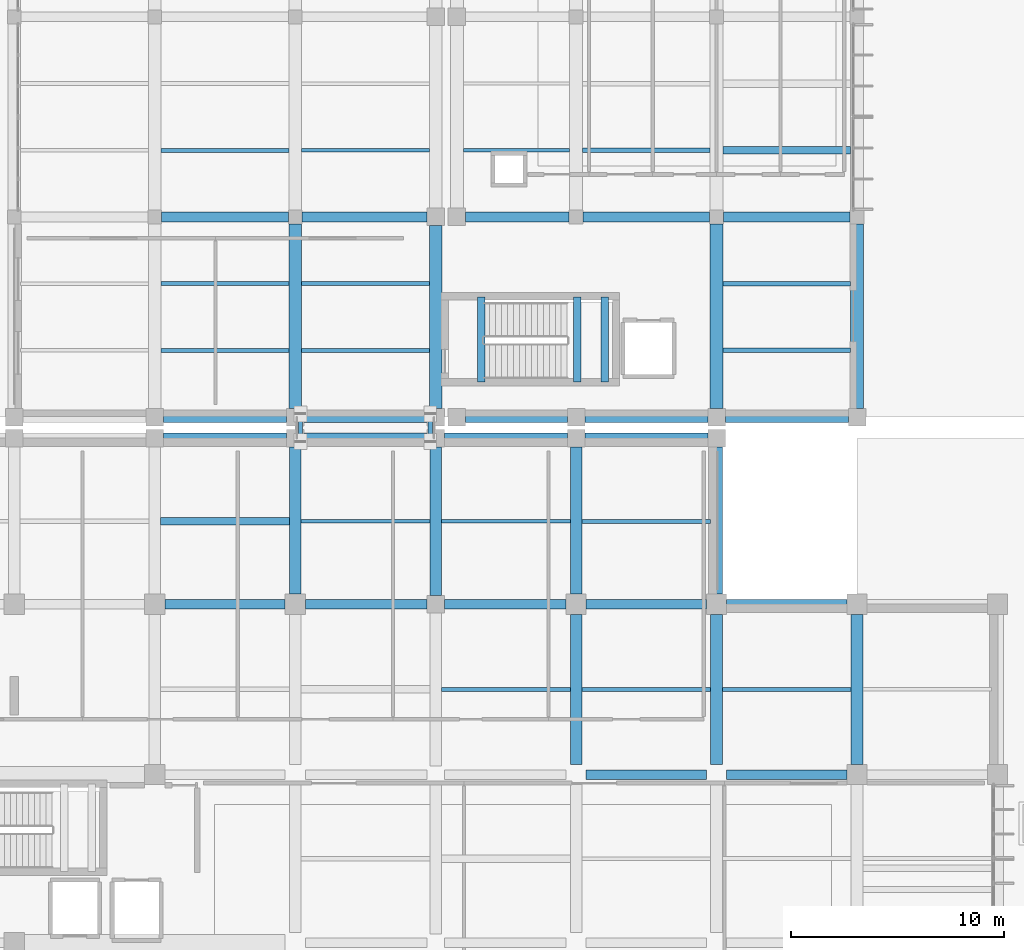
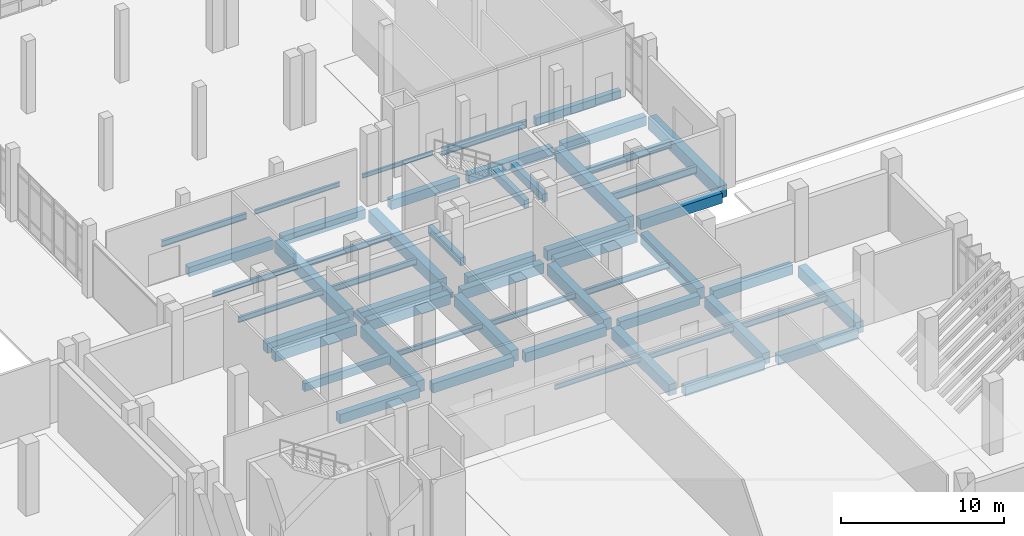
# One storey, part 28 of 79: 55 beams.
"""IFC4 building model written with IfcOpenShell, lengths in metres."""

from ifc_helpers import new_model, si_unit, direction, frame, origin, origin_2d, place, context, subcontext, project, spatial, rectangle, hollow_rectangle, i_section, extrude, material, material_profile, profile_set, type_object, element, save


model = new_model("IFC4")

# Units and contexts
model_context = context("Model", 3, precision=1e-05, world=origin(), true_north=direction((0.0, 1.0)))
body_context = subcontext(model_context, "Body", "Model", "MODEL_VIEW")
ifc_project = project(units=[si_unit("LENGTHUNIT", "METRE"), si_unit("AREAUNIT", "SQUARE_METRE"), si_unit("VOLUMEUNIT", "CUBIC_METRE"), si_unit("PLANEANGLEUNIT", "RADIAN"), si_unit("MASSUNIT", "GRAM", prefix="KILO")], contexts=[model_context])

# Site, building, storey
site_placement = place(None, origin())
site = spatial("IfcSite", under=ifc_project, at=site_placement, CompositionType="ELEMENT")
building_placement = place(site_placement, origin())
building = spatial("IfcBuilding", under=site, at=building_placement, Name="Kelarvand Opera House", CompositionType="ELEMENT")
storey_placement = place(building_placement, origin())
storey = spatial("IfcBuildingStorey", under=building, at=storey_placement, Name="L00", CompositionType="ELEMENT", Elevation=0.0)

# Beams
ifc_material_1 = material(Name="Concrete C35/45", Category="concrete")
ifc_material_profile_1 = material_profile(ifc_material_1, rectangle(XDim=0.35009765625, YDim=0.60009765625, at=origin_2d()), Name="RC 350x600", Category="concrete")
ifc_profile_set_1 = profile_set([ifc_material_profile_1], Name="Concrete C35/45")
beam_type_1 = type_object("IfcBeamType", Name="Structural Beam RC 350x600 BM-RC350x600", PredefinedType="BEAM", material=ifc_profile_set_1)
beam_1_placement = place(storey_placement, frame((102.47509765625, 82.300048828125, -0.6201171875), z_axis=(1.0, 0.0, 0.0), x_axis=(0.0, 1.0, 0.0)))
element("IfcBeam", 1, at=beam_1_placement, inside=storey, type_object=beam_type_1, Name="V1 L00 Beam BM-RC350x600", PredefinedType="BEAM", context=body_context, shape_type="SweptSolid", body=[
    extrude(rectangle(XDim=0.35009765625, YDim=0.60009765625, at=origin_2d()), origin(), (0.0, 0.0, 1.0), 6.0498046875),
])
beam_2_placement = place(storey_placement, frame((128.89990234375, 99.7333984375, -0.60009765625), z_axis=(1.0, 0.0, 0.0), x_axis=(0.0, 1.0, 0.0)))
element("IfcBeam", 2, at=beam_2_placement, inside=storey, type_object=beam_type_1, Name="V5 L00 Beam BM-RC350x600", PredefinedType="BEAM", context=body_context, shape_type="SweptSolid", body=[
    extrude(rectangle(XDim=0.35009765625, YDim=0.60009765625, at=origin_2d()), origin(), (0.0, 0.0, 1.0), 6.0),
])
for number, where, z_axis, x_axis, name in (
    (3, (117.5400390625, 88.85009765625, -0.52001953125), (0.0, 1.0, 0.0), (-1.0, 0.0, 0.0), "C7 Stair Landing Support Beam L00"),
    (4, (122.050048828125, 88.85009765625, 2.199951171875), (0.0, 1.0, 0.0), (-1.0, 0.0, 0.0), "C7 Stair Half-Landing Beam 1 L00"),
    (5, (123.35009765625, 88.85009765625, 2.199951171875), (0.0, 1.0, 0.0), (-1.0, 0.0, 0.0), "C7 Stair Half-Landing Beam 2 L00"),
):
    element("IfcBeam", number, at=place(storey_placement, frame(where, z_axis=z_axis, x_axis=x_axis)), inside=storey, type_object=beam_type_1, Name=name, PredefinedType="BEAM", context=body_context, shape_type="SweptSolid", body=[
        extrude(rectangle(XDim=0.35009765625, YDim=0.60009765625, at=origin_2d()), origin(), (0.0, 0.0, 1.0), 4.0),
    ])
ifc_material_2 = material(Name="Concrete C40/50", Category="concrete")
ifc_material_profile_2 = material_profile(ifc_material_2, rectangle(XDim=0.449951171875, YDim=0.699951171875, at=origin_2d()), Name="RC 450x700", Category="concrete")
ifc_profile_set_2 = profile_set([ifc_material_profile_2], Name="Concrete C40/50")
beam_type_2 = type_object("IfcBeamType", Name="Structural Beam RC 450x700 BM-RC450x700", PredefinedType="BEAM", material=ifc_profile_set_2)
beam_3_placement = place(storey_placement, frame((122.47509765625, 70.39990234375, -0.669921875), z_axis=(1.0, 0.0, 0.0), x_axis=(0.0, 1.0, 0.0)))
element("IfcBeam", 6, at=beam_3_placement, inside=storey, type_object=beam_type_2, Name="V1 L00 Beam BM-RC450x700", PredefinedType="BEAM", context=body_context, shape_type="SweptSolid", body=[
    extrude(rectangle(XDim=0.449951171875, YDim=0.699951171875, at=origin_2d()), origin(), (0.0, 0.0, 1.0), 5.64990234375),
])
beam_4_placement = place(storey_placement, frame((129.074951171875, 70.39990234375, -0.669921875), z_axis=(1.0, 0.0, 0.0), x_axis=(0.0, 1.0, 0.0)))
element("IfcBeam", 7, at=beam_4_placement, inside=storey, type_object=beam_type_2, Name="V1 L00 Beam BM-RC450x700", PredefinedType="BEAM", context=body_context, shape_type="SweptSolid", body=[
    extrude(rectangle(XDim=0.449951171875, YDim=0.699951171875, at=origin_2d()), origin(), (0.0, 0.0, 1.0), 5.650146484375),
])
beam_5_placement = place(storey_placement, frame((102.675048828125, 78.39990234375, -0.669921875), z_axis=(1.0, 0.0, 0.0), x_axis=(0.0, 1.0, 0.0)))
element("IfcBeam", 8, at=beam_5_placement, inside=storey, type_object=beam_type_2, Name="V1 L00 Beam BM-RC450x700", PredefinedType="BEAM", context=body_context, shape_type="SweptSolid", body=[
    extrude(rectangle(XDim=0.449951171875, YDim=0.699951171875, at=origin_2d()), origin(), (0.0, 0.0, 1.0), 5.64990234375),
])
beam_6_placement = place(storey_placement, frame((109.27490234375, 78.39990234375, -0.669921875), z_axis=(1.0, 0.0, 0.0), x_axis=(0.0, 1.0, 0.0)))
element("IfcBeam", 9, at=beam_6_placement, inside=storey, type_object=beam_type_2, Name="V1 L00 Beam BM-RC450x700", PredefinedType="BEAM", context=body_context, shape_type="SweptSolid", body=[
    extrude(rectangle(XDim=0.449951171875, YDim=0.699951171875, at=origin_2d()), origin(), (0.0, 0.0, 1.0), 5.715087890625),
])
beam_7_placement = place(storey_placement, frame((115.81005859375, 78.39990234375, -0.669921875), z_axis=(1.0, 0.0, 0.0), x_axis=(0.0, 1.0, 0.0)))
element("IfcBeam", 10, at=beam_7_placement, inside=storey, type_object=beam_type_2, Name="V1 L00 Beam BM-RC450x700", PredefinedType="BEAM", context=body_context, shape_type="SweptSolid", body=[
    extrude(rectangle(XDim=0.449951171875, YDim=0.699951171875, at=origin_2d()), origin(), (0.0, 0.0, 1.0), 5.71484375),
])
beam_8_placement = place(storey_placement, frame((122.47509765625, 78.39990234375, -0.669921875), z_axis=(1.0, 0.0, 0.0), x_axis=(0.0, 1.0, 0.0)))
element("IfcBeam", 11, at=beam_8_placement, inside=storey, type_object=beam_type_2, Name="V1 L00 Beam BM-RC450x700", PredefinedType="BEAM", context=body_context, shape_type="SweptSolid", body=[
    extrude(rectangle(XDim=0.449951171875, YDim=0.699951171875, at=origin_2d()), origin(), (0.0, 0.0, 1.0), 5.64990234375),
])
beam_9_placement = place(storey_placement, frame((129.074951171875, 78.39990234375, -0.669921875), z_axis=(1.0, 0.0, 0.0), x_axis=(0.0, 1.0, 0.0)))
element("IfcBeam", 12, at=beam_9_placement, inside=storey, type_object=beam_type_2, Name="V1 L00 Beam BM-RC450x700", PredefinedType="BEAM", context=body_context, shape_type="SweptSolid", body=[
    extrude(rectangle(XDim=0.449951171875, YDim=0.699951171875, at=origin_2d()), origin(), (0.0, 0.0, 1.0), 5.650146484375),
])
beam_10_placement = place(storey_placement, frame((102.52490234375, 96.60009765625, -0.64990234375), z_axis=(1.0, 0.0, 0.0), x_axis=(0.0, 1.0, 0.0)))
element("IfcBeam", 13, at=beam_10_placement, inside=storey, type_object=beam_type_2, Name="V5 L00 Beam BM-RC450x700", PredefinedType="BEAM", context=body_context, shape_type="SweptSolid", body=[
    extrude(rectangle(XDim=0.449951171875, YDim=0.699951171875, at=origin_2d()), origin(), (0.0, 0.0, 1.0), 5.9501953125),
])
beam_11_placement = place(storey_placement, frame((109.125, 96.60009765625, -0.64990234375), z_axis=(1.0, 0.0, 0.0), x_axis=(0.0, 1.0, 0.0)))
element("IfcBeam", 14, at=beam_11_placement, inside=storey, type_object=beam_type_2, Name="V5 L00 Beam BM-RC450x700", PredefinedType="BEAM", context=body_context, shape_type="SweptSolid", body=[
    extrude(rectangle(XDim=0.449951171875, YDim=0.699951171875, at=origin_2d()), origin(), (0.0, 0.0, 1.0), 5.864990234375),
])
beam_12_placement = place(storey_placement, frame((116.81005859375, 96.60009765625, -0.64990234375), z_axis=(1.0, 0.0, 0.0), x_axis=(0.0, 1.0, 0.0)))
element("IfcBeam", 15, at=beam_12_placement, inside=storey, type_object=beam_type_2, Name="V5 L00 Beam BM-RC450x700", PredefinedType="BEAM", context=body_context, shape_type="SweptSolid", body=[
    extrude(rectangle(XDim=0.449951171875, YDim=0.699951171875, at=origin_2d()), origin(), (0.0, 0.0, 1.0), 4.864990234375),
])
for number, where, z_axis, x_axis, name in (
    (16, (122.324951171875, 96.60009765625, -0.64990234375), (1.0, 0.0, 0.0), (0.0, 1.0, 0.0), "V5 L00 Beam BM-RC450x700"),
    (17, (128.925048828125, 96.60009765625, -0.64990234375), (1.0, 0.0, 0.0), (0.0, 1.0, 0.0), "V5 L00 Beam BM-RC450x700"),
):
    element("IfcBeam", number, at=place(storey_placement, frame(where, z_axis=z_axis, x_axis=x_axis)), inside=storey, type_object=beam_type_2, Name=name, PredefinedType="BEAM", context=body_context, shape_type="SweptSolid", body=[
        extrude(rectangle(XDim=0.449951171875, YDim=0.699951171875, at=origin_2d()), origin(), (0.0, 0.0, 1.0), 5.949951171875),
    ])
ifc_material_profile_3 = material_profile(ifc_material_2, rectangle(XDim=0.550048828125, YDim=0.85009765625, at=origin_2d()), Name="RC 550x850", Category="concrete")
ifc_profile_set_3 = profile_set([ifc_material_profile_3], Name="Concrete C40/50")
beam_type_3 = type_object("IfcBeamType", Name="Structural Beam RC 550x850 BM-RC550x850", PredefinedType="BEAM", material=ifc_profile_set_3)
beam_13_placement = place(storey_placement, frame((108.800048828125, 78.875, -0.7451171875), z_axis=(0.0, 1.0, 0.0), x_axis=(-1.0, 0.0, 0.0)))
element("IfcBeam", 18, at=beam_13_placement, inside=storey, type_object=beam_type_3, Name="V1 L00 Beam BM-RC550x850", PredefinedType="BEAM", context=body_context, shape_type="SweptSolid", body=[
    extrude(rectangle(XDim=0.550048828125, YDim=0.85009765625, at=origin_2d()), origin(), (0.0, 0.0, 1.0), 6.9150390625),
])
beam_14_placement = place(storey_placement, frame((115.39990234375, 78.81005859375, -0.7451171875), z_axis=(0.0, 1.0, 0.0), x_axis=(-1.0, 0.0, 0.0)))
element("IfcBeam", 19, at=beam_14_placement, inside=storey, type_object=beam_type_3, Name="V1 L00 Beam BM-RC550x850", PredefinedType="BEAM", context=body_context, shape_type="SweptSolid", body=[
    extrude(rectangle(XDim=0.550048828125, YDim=0.85009765625, at=origin_2d()), origin(), (0.0, 0.0, 1.0), 6.97998046875),
])
beam_15_placement = place(storey_placement, frame((122.0, 70.875, -0.7451171875), z_axis=(0.0, 1.0, 0.0), x_axis=(-1.0, 0.0, 0.0)))
element("IfcBeam", 20, at=beam_15_placement, inside=storey, type_object=beam_type_3, Name="V1 L00 Beam BM-RC550x850", PredefinedType="BEAM", context=body_context, shape_type="SweptSolid", body=[
    extrude(rectangle(XDim=0.550048828125, YDim=0.85009765625, at=origin_2d()), origin(), (0.0, 0.0, 1.0), 7.050048828125),
])
beam_16_placement = place(storey_placement, frame((122.0, 78.875, -0.7451171875), z_axis=(0.0, 1.0, 0.0), x_axis=(-1.0, 0.0, 0.0)))
element("IfcBeam", 21, at=beam_16_placement, inside=storey, type_object=beam_type_3, Name="V1 L00 Beam BM-RC550x850", PredefinedType="BEAM", context=body_context, shape_type="SweptSolid", body=[
    extrude(rectangle(XDim=0.550048828125, YDim=0.85009765625, at=origin_2d()), origin(), (0.0, 0.0, 1.0), 6.9150390625),
])
beam_17_placement = place(storey_placement, frame((128.60009765625, 70.875, -0.7451171875), z_axis=(0.0, 1.0, 0.0), x_axis=(-1.0, 0.0, 0.0)))
element("IfcBeam", 22, at=beam_17_placement, inside=storey, type_object=beam_type_3, Name="V1 L00 Beam BM-RC550x850", PredefinedType="BEAM", context=body_context, shape_type="SweptSolid", body=[
    extrude(rectangle(XDim=0.550048828125, YDim=0.85009765625, at=origin_2d()), origin(), (0.0, 0.0, 1.0), 7.050048828125),
])
beam_18_placement = place(storey_placement, frame((128.60009765625, 78.875, -0.7451171875), z_axis=(0.0, 1.0, 0.0), x_axis=(-1.0, 0.0, 0.0)))
element("IfcBeam", 23, at=beam_18_placement, inside=storey, type_object=beam_type_3, Name="V1 L00 Beam BM-RC550x850", PredefinedType="BEAM", context=body_context, shape_type="SweptSolid", body=[
    extrude(rectangle(XDim=0.550048828125, YDim=0.85009765625, at=origin_2d()), origin(), (0.0, 0.0, 1.0), 6.9150390625),
])
beam_19_placement = place(storey_placement, frame((135.199951171875, 70.875, -0.7451171875), z_axis=(0.0, 1.0, 0.0), x_axis=(-1.0, 0.0, 0.0)))
element("IfcBeam", 24, at=beam_19_placement, inside=storey, type_object=beam_type_3, Name="V1 L00 Beam BM-RC550x850", PredefinedType="BEAM", context=body_context, shape_type="SweptSolid", body=[
    extrude(rectangle(XDim=0.550048828125, YDim=0.85009765625, at=origin_2d()), origin(), (0.0, 0.0, 1.0), 7.050048828125),
])
ifc_material_profile_4 = material_profile(ifc_material_2, rectangle(XDim=0.60009765625, YDim=0.89990234375, at=origin_2d()), Name="RC 600x900", Category="concrete")
ifc_profile_set_4 = profile_set([ifc_material_profile_4], Name="Concrete C40/50")
beam_type_4 = type_object("IfcBeamType", Name="Structural Beam RC 600x900 BM-RC600x900", PredefinedType="BEAM", material=ifc_profile_set_4)
beam_20_placement = place(storey_placement, frame((108.800048828125, 87.610107421875, -0.75), z_axis=(0.0, 1.0, 0.0), x_axis=(-1.0, 0.0, 0.0)))
element("IfcBeam", 25, at=beam_20_placement, inside=storey, type_object=beam_type_4, Name="V5 L00 Beam BM-RC600x900", PredefinedType="BEAM", context=body_context, shape_type="SweptSolid", body=[
    extrude(rectangle(XDim=0.60009765625, YDim=0.89990234375, at=origin_2d()), origin(), (0.0, 0.0, 1.0), 8.664794921875),
])
beam_21_placement = place(storey_placement, frame((115.39990234375, 87.610107421875, -0.75), z_axis=(0.0, 1.0, 0.0), x_axis=(-1.0, 0.0, 0.0)))
element("IfcBeam", 26, at=beam_21_placement, inside=storey, type_object=beam_type_4, Name="V5 L00 Beam BM-RC600x900", PredefinedType="BEAM", context=body_context, shape_type="SweptSolid", body=[
    extrude(rectangle(XDim=0.60009765625, YDim=0.89990234375, at=origin_2d()), origin(), (0.0, 0.0, 1.0), 8.579833984375),
])
beam_22_placement = place(storey_placement, frame((128.60009765625, 87.610107421875, -0.75), z_axis=(0.0, 1.0, 0.0), x_axis=(-1.0, 0.0, 0.0)))
element("IfcBeam", 27, at=beam_22_placement, inside=storey, type_object=beam_type_4, Name="V5 L00 Beam BM-RC600x900", PredefinedType="BEAM", context=body_context, shape_type="SweptSolid", body=[
    extrude(rectangle(XDim=0.60009765625, YDim=0.89990234375, at=origin_2d()), origin(), (0.0, 0.0, 1.0), 8.664794921875),
])
ifc_material_3 = material(Name="Steel S355", Category="steel")
ifc_material_profile_5 = material_profile(ifc_material_3, hollow_rectangle(XDim=0.199951171875, YDim=0.39990234375, WallThickness=0.01611328125, at=origin_2d()), Name="RHS 400x200x16.0", Category="steel")
ifc_profile_set_5 = profile_set([ifc_material_profile_5], Name="Steel S355")
beam_type_5 = type_object("IfcBeamType", Name="Structural Beam RHS 400x200x16.0 BM-RHS400", PredefinedType="BEAM", material=ifc_profile_set_5)
for number, where, z_axis, x_axis, name in (
    (28, (109.050048828125, 86.050048828125, -0.52001953125), (0.0, 1.0, 0.0), (-1.0, 0.0, 0.0), "Seismic Sliding Corbel Beam BR-JN-E L00 1"),
    (29, (115.14990234375, 86.050048828125, -0.52001953125), (0.0, 1.0, 0.0), (-1.0, 0.0, 0.0), "Seismic Sliding Corbel Beam BR-JN-E L00 2"),
):
    element("IfcBeam", number, at=place(storey_placement, frame(where, z_axis=z_axis, x_axis=x_axis)), inside=storey, type_object=beam_type_5, Name=name, PredefinedType="BEAM", context=body_context, shape_type="SweptSolid", body=[
        extrude(hollow_rectangle(XDim=0.199951171875, YDim=0.39990234375, WallThickness=0.01611328125, at=origin_2d()), origin(), (0.0, 0.0, 1.0), 1.300048828125),
    ])
ifc_material_profile_6 = material_profile(ifc_material_3, i_section(OverallWidth=0.14990234375, OverallDepth=0.300048828125, WebThickness=0.007080078125, FlangeThickness=0.0107421875, at=origin_2d()), Name="IPE 300", Category="steel")
ifc_profile_set_6 = profile_set([ifc_material_profile_6], Name="Steel S355")
beam_type_6 = type_object("IfcBeamType", Name="Structural Joist IPE 300 JS-IPE300", PredefinedType="JOIST", material=ifc_profile_set_6)
beam_23_placement = place(storey_placement, frame((116.699951171875, 99.7333984375, -0.449951171875), z_axis=(1.0, 0.0, 0.0), x_axis=(0.0, 1.0, 0.0)))
element("IfcBeam", 30, at=beam_23_placement, inside=storey, type_object=beam_type_6, Name="V5 L00 Beam JS-IPE300", PredefinedType="JOIST", context=body_context, shape_type="SweptSolid", body=[
    extrude(i_section(OverallWidth=0.14990234375, OverallDepth=0.300048828125, WebThickness=0.007080078125, FlangeThickness=0.0107421875, at=origin_2d()), origin(), (0.0, 0.0, 1.0), 5.0),
])
ifc_material_profile_7 = material_profile(ifc_material_3, i_section(OverallWidth=0.159912109375, OverallDepth=0.330078125, WebThickness=0.007568359375, FlangeThickness=0.011474609375, at=origin_2d()), Name="IPE 330", Category="steel")
ifc_profile_set_7 = profile_set([ifc_material_profile_7], Name="Steel S355")
beam_type_7 = type_object("IfcBeamType", Name="Structural Joist IPE 330 JS-IPE330", PredefinedType="JOIST", material=ifc_profile_set_7)
beam_24_placement = place(storey_placement, frame((109.10009765625, 99.7333984375, -0.465087890625), z_axis=(1.0, 0.0, 0.0), x_axis=(0.0, 1.0, 0.0)))
element("IfcBeam", 31, at=beam_24_placement, inside=storey, type_object=beam_type_7, Name="V5 L00 Beam JS-IPE330", PredefinedType="JOIST", context=body_context, shape_type="SweptSolid", body=[
    extrude(i_section(OverallWidth=0.159912109375, OverallDepth=0.330078125, WebThickness=0.007568359375, FlangeThickness=0.011474609375, at=origin_2d()), origin(), (0.0, 0.0, 1.0), 6.0),
])
ifc_material_profile_8 = material_profile(ifc_material_3, i_section(OverallWidth=0.169921875, OverallDepth=0.360107421875, WebThickness=0.008056640625, FlangeThickness=0.0126953125, at=origin_2d()), Name="IPE 360", Category="steel")
ifc_profile_set_8 = profile_set([ifc_material_profile_8], Name="Steel S355")
beam_type_8 = type_object("IfcBeamType", Name="Structural Joist IPE 360 JS-IPE360", PredefinedType="JOIST", material=ifc_profile_set_8)
for number, where, z_axis, x_axis, name in (
    (32, (109.074951171875, 82.300048828125, -0.5), (1.0, 0.0, 0.0), (0.0, 1.0, 0.0), "V1 L00 Beam JS-IPE360"),
    (33, (115.675048828125, 74.39990234375, -0.5), (1.0, 0.0, 0.0), (0.0, 1.0, 0.0), "V1 L00 Beam JS-IPE360"),
):
    element("IfcBeam", number, at=place(storey_placement, frame(where, z_axis=z_axis, x_axis=x_axis)), inside=storey, type_object=beam_type_8, Name=name, PredefinedType="JOIST", context=body_context, shape_type="SweptSolid", body=[
        extrude(i_section(OverallWidth=0.169921875, OverallDepth=0.360107421875, WebThickness=0.008056640625, FlangeThickness=0.0126953125, at=origin_2d()), origin(), (0.0, 0.0, 1.0), 6.050048828125),
    ])
ifc_material_profile_9 = material_profile(ifc_material_3, i_section(OverallWidth=0.179931640625, OverallDepth=0.39990234375, WebThickness=0.008544921875, FlangeThickness=0.013427734375, at=origin_2d()), Name="IPE 400", Category="steel")
ifc_profile_set_9 = profile_set([ifc_material_profile_9], Name="Steel S355")
beam_type_9 = type_object("IfcBeamType", Name="Structural Joist IPE 400 JS-IPE400", PredefinedType="JOIST", material=ifc_profile_set_9)
for number, where, z_axis, x_axis, name in (
    (34, (115.675048828125, 82.300048828125, -0.52001953125), (1.0, 0.0, 0.0), (0.0, 1.0, 0.0), "V1 L00 Beam JS-IPE400"),
    (35, (122.27490234375, 74.39990234375, -0.52001953125), (1.0, 0.0, 0.0), (0.0, 1.0, 0.0), "V1 L00 Beam JS-IPE400"),
):
    element("IfcBeam", number, at=place(storey_placement, frame(where, z_axis=z_axis, x_axis=x_axis)), inside=storey, type_object=beam_type_9, Name=name, PredefinedType="JOIST", context=body_context, shape_type="SweptSolid", body=[
        extrude(i_section(OverallWidth=0.179931640625, OverallDepth=0.39990234375, WebThickness=0.008544921875, FlangeThickness=0.013427734375, at=origin_2d()), origin(), (0.0, 0.0, 1.0), 6.050048828125),
    ])
for number, where, z_axis, x_axis, name in (
    (36, (102.5, 90.333251953125, -0.5), (1.0, 0.0, 0.0), (0.0, 1.0, 0.0), "V5 L00 Beam JS-IPE400"),
    (37, (102.5, 93.466796875, -0.5), (1.0, 0.0, 0.0), (0.0, 1.0, 0.0), "V5 L00 Beam JS-IPE400"),
):
    element("IfcBeam", number, at=place(storey_placement, frame(where, z_axis=z_axis, x_axis=x_axis)), inside=storey, type_object=beam_type_9, Name=name, PredefinedType="JOIST", context=body_context, shape_type="SweptSolid", body=[
        extrude(i_section(OverallWidth=0.179931640625, OverallDepth=0.39990234375, WebThickness=0.008544921875, FlangeThickness=0.013427734375, at=origin_2d()), origin(), (0.0, 0.0, 1.0), 6.0),
    ])
ifc_material_profile_10 = material_profile(ifc_material_3, i_section(OverallWidth=0.18994140625, OverallDepth=0.449951171875, WebThickness=0.009521484375, FlangeThickness=0.0146484375, at=origin_2d()), Name="IPE 450", Category="steel")
ifc_profile_set_10 = profile_set([ifc_material_profile_10], Name="Steel S355")
beam_type_10 = type_object("IfcBeamType", Name="Structural Joist IPE 450 JS-IPE450", PredefinedType="JOIST", material=ifc_profile_set_10)
for number, where, z_axis, x_axis, name in (
    (38, (122.27490234375, 82.300048828125, -0.544921875), (1.0, 0.0, 0.0), (0.0, 1.0, 0.0), "V1 L00 Beam JS-IPE450"),
    (39, (128.875, 74.39990234375, -0.544921875), (1.0, 0.0, 0.0), (0.0, 1.0, 0.0), "V1 L00 Beam JS-IPE450"),
):
    element("IfcBeam", number, at=place(storey_placement, frame(where, z_axis=z_axis, x_axis=x_axis)), inside=storey, type_object=beam_type_10, Name=name, PredefinedType="JOIST", context=body_context, shape_type="SweptSolid", body=[
        extrude(i_section(OverallWidth=0.18994140625, OverallDepth=0.449951171875, WebThickness=0.009521484375, FlangeThickness=0.0146484375, at=origin_2d()), origin(), (0.0, 0.0, 1.0), 6.050048828125),
    ])
for number, where, z_axis, x_axis, name in (
    (40, (102.5, 99.7333984375, -0.52490234375), (1.0, 0.0, 0.0), (0.0, 1.0, 0.0), "V5 L00 Beam JS-IPE450"),
    (41, (109.10009765625, 90.333251953125, -0.52490234375), (1.0, 0.0, 0.0), (0.0, 1.0, 0.0), "V5 L00 Beam JS-IPE450"),
    (42, (109.10009765625, 93.466796875, -0.52490234375), (1.0, 0.0, 0.0), (0.0, 1.0, 0.0), "V5 L00 Beam JS-IPE450"),
):
    element("IfcBeam", number, at=place(storey_placement, frame(where, z_axis=z_axis, x_axis=x_axis)), inside=storey, type_object=beam_type_10, Name=name, PredefinedType="JOIST", context=body_context, shape_type="SweptSolid", body=[
        extrude(i_section(OverallWidth=0.18994140625, OverallDepth=0.449951171875, WebThickness=0.009521484375, FlangeThickness=0.0146484375, at=origin_2d()), origin(), (0.0, 0.0, 1.0), 6.0),
    ])
ifc_material_profile_11 = material_profile(ifc_material_3, i_section(OverallWidth=0.2099609375, OverallDepth=0.550048828125, WebThickness=0.010986328125, FlangeThickness=0.01708984375, at=origin_2d()), Name="IPE 550", Category="steel")
ifc_profile_set_11 = profile_set([ifc_material_profile_11], Name="Steel S355")
beam_type_11 = type_object("IfcBeamType", Name="Structural Joist IPE 550 JS-IPE550", PredefinedType="JOIST", material=ifc_profile_set_11)
for number, where, z_axis, x_axis, name in (
    (43, (122.300048828125, 99.7333984375, -0.574951171875), (1.0, 0.0, 0.0), (0.0, 1.0, 0.0), "V5 L00 Beam JS-IPE550"),
    (44, (128.89990234375, 90.333251953125, -0.574951171875), (1.0, 0.0, 0.0), (0.0, 1.0, 0.0), "V5 L00 Beam JS-IPE550"),
    (45, (128.89990234375, 93.466796875, -0.574951171875), (1.0, 0.0, 0.0), (0.0, 1.0, 0.0), "V5 L00 Beam JS-IPE550"),
):
    element("IfcBeam", number, at=place(storey_placement, frame(where, z_axis=z_axis, x_axis=x_axis)), inside=storey, type_object=beam_type_11, Name=name, PredefinedType="JOIST", context=body_context, shape_type="SweptSolid", body=[
        extrude(i_section(OverallWidth=0.2099609375, OverallDepth=0.550048828125, WebThickness=0.010986328125, FlangeThickness=0.01708984375, at=origin_2d()), origin(), (0.0, 0.0, 1.0), 6.0),
    ])
ifc_material_profile_12 = material_profile(ifc_material_2, rectangle(XDim=0.5, YDim=0.75, at=origin_2d()), Name="RC 500x750", Category="concrete")
ifc_profile_set_12 = profile_set([ifc_material_profile_12], Name="Concrete C40/50")
beam_type_12 = type_object("IfcBeamType", Name="Structural Spandrel RC 500x750 SP-RC500x750E", PredefinedType="SPANDREL", material=ifc_profile_set_12)
beam_25_placement = place(storey_placement, frame((102.610107421875, 86.199951171875, -0.695068359375), z_axis=(1.0, 0.0, 0.0), x_axis=(0.0, 1.0, 0.0)))
element("IfcBeam", 46, at=beam_25_placement, inside=storey, type_object=beam_type_12, Name="V1 L00 Beam SP-RC500x750E", PredefinedType="SPANDREL", context=body_context, shape_type="SweptSolid", body=[
    extrude(rectangle(XDim=0.5, YDim=0.75, at=origin_2d()), origin(), (0.0, 0.0, 1.0), 5.77978515625),
])
for number, where, z_axis, x_axis, name in (
    (47, (109.2099609375, 86.199951171875, -0.695068359375), (1.0, 0.0, 0.0), (0.0, 1.0, 0.0), "V1 L00 Beam SP-RC500x750E"),
    (48, (115.81005859375, 86.199951171875, -0.695068359375), (1.0, 0.0, 0.0), (0.0, 1.0, 0.0), "V1 L00 Beam SP-RC500x750E"),
    (49, (122.409912109375, 86.199951171875, -0.695068359375), (1.0, 0.0, 0.0), (0.0, 1.0, 0.0), "V1 L00 Beam SP-RC500x750E"),
):
    element("IfcBeam", number, at=place(storey_placement, frame(where, z_axis=z_axis, x_axis=x_axis)), inside=storey, type_object=beam_type_12, Name=name, PredefinedType="SPANDREL", context=body_context, shape_type="SweptSolid", body=[
        extrude(rectangle(XDim=0.5, YDim=0.75, at=origin_2d()), origin(), (0.0, 0.0, 1.0), 5.780029296875),
    ])
beam_26_placement = place(storey_placement, frame((102.610107421875, 87.199951171875, -0.675048828125), z_axis=(1.0, 0.0, 0.0), x_axis=(0.0, 1.0, 0.0)))
element("IfcBeam", 50, at=beam_26_placement, inside=storey, type_object=beam_type_12, Name="V5 L00 Beam SP-RC500x750E", PredefinedType="SPANDREL", context=body_context, shape_type="SweptSolid", body=[
    extrude(rectangle(XDim=0.5, YDim=0.75, at=origin_2d()), origin(), (0.0, 0.0, 1.0), 5.77978515625),
])
beam_27_placement = place(storey_placement, frame((109.2099609375, 87.199951171875, -0.675048828125), z_axis=(1.0, 0.0, 0.0), x_axis=(0.0, 1.0, 0.0)))
element("IfcBeam", 51, at=beam_27_placement, inside=storey, type_object=beam_type_12, Name="V5 L00 Beam SP-RC500x750E", PredefinedType="SPANDREL", context=body_context, shape_type="SweptSolid", body=[
    extrude(rectangle(XDim=0.5, YDim=0.75, at=origin_2d()), origin(), (0.0, 0.0, 1.0), 5.780029296875),
])
beam_28_placement = place(storey_placement, frame((116.81005859375, 87.199951171875, -0.675048828125), z_axis=(1.0, 0.0, 0.0), x_axis=(0.0, 1.0, 0.0)))
element("IfcBeam", 52, at=beam_28_placement, inside=storey, type_object=beam_type_12, Name="V5 L00 Beam SP-RC500x750E", PredefinedType="SPANDREL", context=body_context, shape_type="SweptSolid", body=[
    extrude(rectangle(XDim=0.5, YDim=0.75, at=origin_2d()), origin(), (0.0, 0.0, 1.0), 4.780029296875),
])
for number, where, z_axis, x_axis, name in (
    (53, (122.409912109375, 87.199951171875, -0.675048828125), (1.0, 0.0, 0.0), (0.0, 1.0, 0.0), "V5 L00 Beam SP-RC500x750E"),
    (54, (129.010009765625, 87.199951171875, -0.675048828125), (1.0, 0.0, 0.0), (0.0, 1.0, 0.0), "V5 L00 Beam SP-RC500x750E"),
):
    element("IfcBeam", number, at=place(storey_placement, frame(where, z_axis=z_axis, x_axis=x_axis)), inside=storey, type_object=beam_type_12, Name=name, PredefinedType="SPANDREL", context=body_context, shape_type="SweptSolid", body=[
        extrude(rectangle(XDim=0.5, YDim=0.75, at=origin_2d()), origin(), (0.0, 0.0, 1.0), 5.780029296875),
    ])
ifc_material_profile_13 = material_profile(ifc_material_2, rectangle(XDim=0.60009765625, YDim=0.89990234375, at=origin_2d()), Name="RC 600x900", Category="concrete")
ifc_profile_set_13 = profile_set([ifc_material_profile_13], Name="Concrete C40/50")
beam_type_13 = type_object("IfcBeamType", Name="Structural Spandrel RC 600x900 SP-RC600x900E", PredefinedType="SPANDREL", material=ifc_profile_set_13)
beam_29_placement = place(storey_placement, frame((135.199951171875, 87.610107421875, -0.75), z_axis=(0.0, 1.0, 0.0), x_axis=(-1.0, 0.0, 0.0)))
element("IfcBeam", 55, at=beam_29_placement, inside=storey, type_object=beam_type_13, Name="V5 L00 Beam SP-RC600x900E", PredefinedType="SPANDREL", context=body_context, shape_type="SweptSolid", body=[
    extrude(rectangle(XDim=0.60009765625, YDim=0.89990234375, at=origin_2d()), origin(), (0.0, 0.0, 1.0), 8.664794921875),
])

save(model, "model.ifc")
